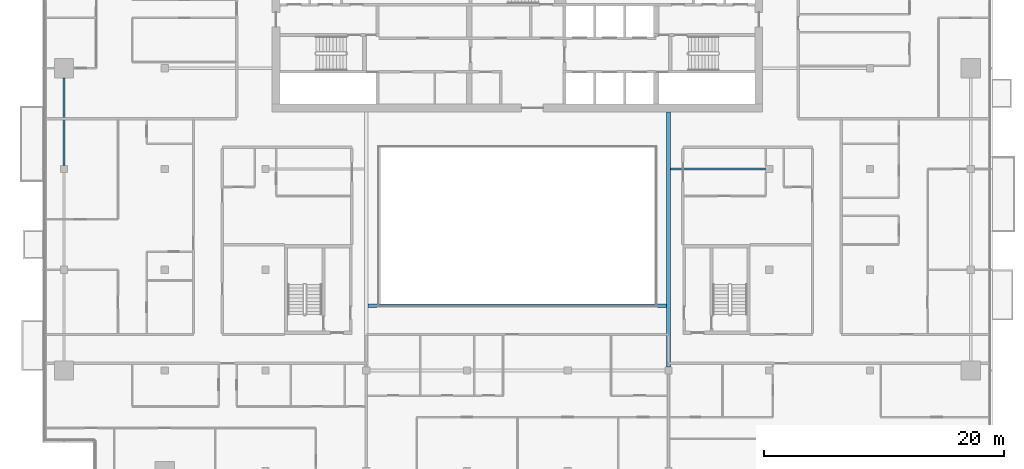
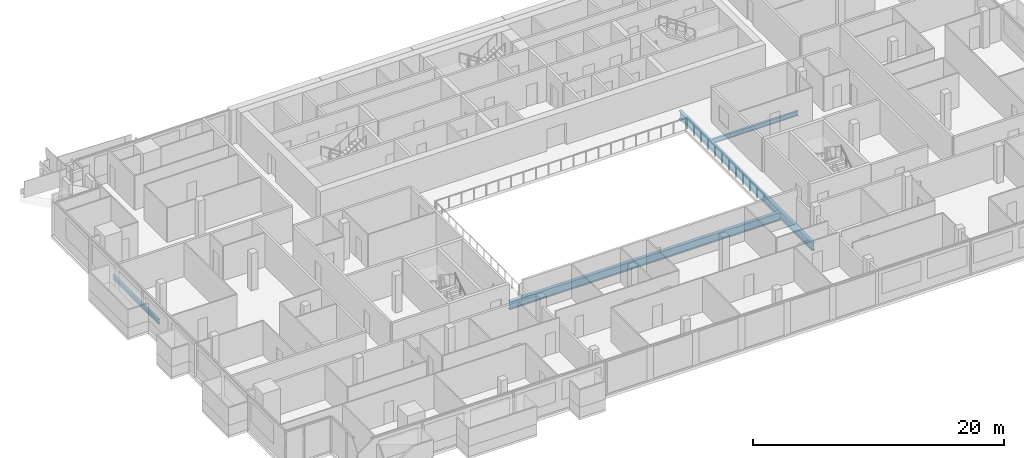
# One storey, part 7 of 30: 4 beams.
"""IFC4 building model written with IfcOpenShell, lengths in metres."""

from ifc_helpers import new_model, si_unit, direction, frame, origin, origin_2d, place, context, subcontext, project, spatial, i_section, extrude, material, material_profile, profile_set, type_object, element, save


model = new_model("IFC4")

# Units and contexts
model_context = context("Model", 3, precision=1e-05, world=origin(), true_north=direction((0.0, 1.0)))
body_context = subcontext(model_context, "Body", "Model", "MODEL_VIEW")
ifc_project = project(units=[si_unit("LENGTHUNIT", "METRE"), si_unit("AREAUNIT", "SQUARE_METRE"), si_unit("VOLUMEUNIT", "CUBIC_METRE"), si_unit("PLANEANGLEUNIT", "RADIAN"), si_unit("MASSUNIT", "GRAM", prefix="KILO")], contexts=[model_context])

# Site, building, storey
site_placement = place(None, origin())
site = spatial("IfcSite", under=ifc_project, at=site_placement, CompositionType="ELEMENT")
building_placement = place(site_placement, origin())
building = spatial("IfcBuilding", under=site, at=building_placement, Name="Saffron Gate Tower", CompositionType="ELEMENT")
storey_placement = place(building_placement, frame((0.0, 0.0, 216.300048828125)))
storey = spatial("IfcBuildingStorey", under=building, at=storey_placement, Name="L52", CompositionType="ELEMENT", Elevation=216.300048828125)

# Beams
ifc_material = material(Name="Structural steel S355", Category="steel")
ifc_material_profile_1 = material_profile(ifc_material, i_section(OverallWidth=0.300048828125, OverallDepth=0.7900390625, WebThickness=0.014892578125, FlangeThickness=0.028076171875, FilletRadius=0.030029296875, at=origin_2d()))
ifc_profile_set_1 = profile_set([ifc_material_profile_1], Name="Structural steel S355")
beam_type_1 = type_object("IfcBeamType", Name="B18 HEA 800", PredefinedType="BEAM", material=ifc_profile_set_1)
beam_1_placement = place(storey_placement, frame((100.199951171875, 40.5, -0.675048828125), z_axis=(0.0, 1.0, 0.0), x_axis=(-1.0, 0.0, 0.0)))
element("IfcBeam", 1, at=beam_1_placement, inside=storey, type_object=beam_type_1, Name="B18 ATRIUM GIRDER", PredefinedType="BEAM", context=body_context, shape_type="SweptSolid", body=[
    extrude(i_section(OverallWidth=0.300048828125, OverallDepth=0.7900390625, WebThickness=0.014892578125, FlangeThickness=0.028076171875, FilletRadius=0.030029296875, at=origin_2d()), origin(), (0.0, 0.0, 1.0), 21.25),
])
beam_2_placement = place(storey_placement, frame((75.14990234375, 45.60009765625, -0.675048828125), z_axis=(1.0, 0.0, 0.0), x_axis=(0.0, 1.0, 0.0)))
element("IfcBeam", 2, at=beam_2_placement, inside=storey, type_object=beam_type_1, Name="B18 ATRIUM GIRDER", PredefinedType="BEAM", context=body_context, shape_type="SweptSolid", body=[
    extrude(i_section(OverallWidth=0.300048828125, OverallDepth=0.7900390625, WebThickness=0.014892578125, FlangeThickness=0.028076171875, FilletRadius=0.030029296875, at=origin_2d()), origin(), (0.0, 0.0, 1.0), 24.900146484375),
])
ifc_material_profile_2 = material_profile(ifc_material, i_section(OverallWidth=0.18994140625, OverallDepth=0.449951171875, WebThickness=0.009521484375, FlangeThickness=0.0146484375, FilletRadius=0.02099609375, at=origin_2d()))
ifc_profile_set_2 = profile_set([ifc_material_profile_2], Name="Structural steel S355")
beam_type_2 = type_object("IfcBeamType", Name="B6 IPE 450", PredefinedType="BEAM", material=ifc_profile_set_2)
beam_3_placement = place(storey_placement, frame((108.300048828125, 57.0, -0.505126953125), z_axis=(-1.0, 0.0, 0.0), x_axis=(0.0, -1.0, 0.0)))
element("IfcBeam", 3, at=beam_3_placement, inside=storey, type_object=beam_type_2, Name="B6 CORE TIE BEAM", PredefinedType="BEAM", context=body_context, shape_type="SweptSolid", body=[
    extrude(i_section(OverallWidth=0.18994140625, OverallDepth=0.449951171875, WebThickness=0.009521484375, FlangeThickness=0.0146484375, FilletRadius=0.02099609375, at=origin_2d()), origin(), (0.0, 0.0, 1.0), 7.949951171875),
])
ifc_material_profile_3 = material_profile(ifc_material, i_section(OverallWidth=0.18994140625, OverallDepth=0.449951171875, WebThickness=0.009521484375, FlangeThickness=0.0146484375, FilletRadius=0.02099609375, at=origin_2d()))
ifc_profile_set_3 = profile_set([ifc_material_profile_3], Name="Structural steel S355")
beam_type_3 = type_object("IfcBeamType", Name="B7 IPE 450", PredefinedType="SPANDREL", material=ifc_profile_set_3)
beam_4_placement = place(storey_placement, frame((49.800048828125, 57.300048828125, -0.505126953125), z_axis=(0.0, 1.0, 0.0), x_axis=(-1.0, 0.0, 0.0)))
element("IfcBeam", 4, at=beam_4_placement, inside=storey, type_object=beam_type_3, Name="B7 SPANDREL BEAM", PredefinedType="SPANDREL", context=body_context, shape_type="SweptSolid", body=[
    extrude(i_section(OverallWidth=0.18994140625, OverallDepth=0.449951171875, WebThickness=0.009521484375, FlangeThickness=0.0146484375, FilletRadius=0.02099609375, at=origin_2d()), origin(), (0.0, 0.0, 1.0), 7.300048828125),
])

save(model, "model.ifc")
